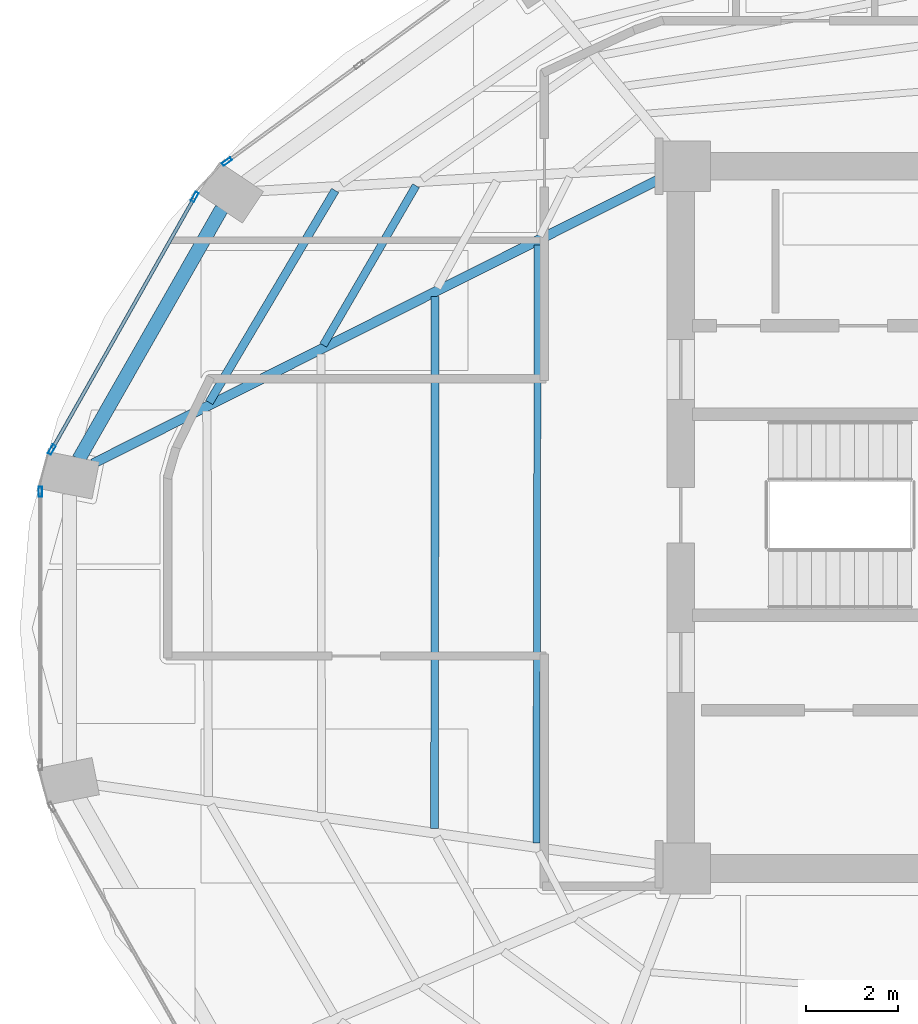
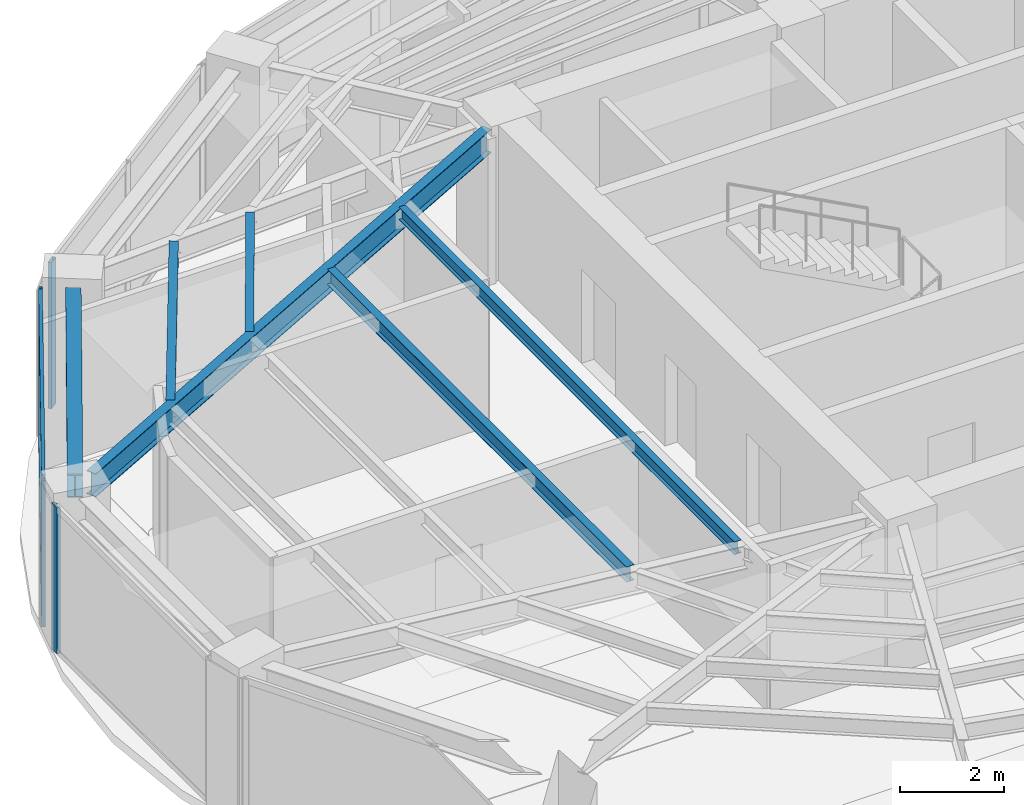
# One storey, part 6 of 20: 6 beams, 6 members, 3 elements without a shape of their own.
"""IFC4 building model written with IfcOpenShell, lengths in metres."""

import ifcopenshell
import ifcopenshell.guid

model = None  # the IFC model being written
_history = None  # IfcOwnerHistory: only IFC2X3 demands one
_inside = {}  # id of a spatial element -> (the spatial element, [elements in it])
_under = {}  # id of a project, library or spatial element -> (it, [spatial elements below it])
_declared = {}  # id of a project -> (the project, [libraries it declares])
_typed = {}  # id of a type object -> (the type object, [elements of that type])
_made_of = {}  # id of a material, layer set ... -> (it, [elements and type objects made of it])


def new_model(schema):
    """Start an empty IFC model of exactly this schema.

    Asked for "IFC4X3", IfcOpenShell would pick the latest addendum, in which some entities
    have other attributes; the version numbers below select the first issue.
    IFC2X3 requires an IfcOwnerHistory on every rooted entity: one is made here for all.
    """
    global model, _history
    if schema == "IFC4X3":
        model = ifcopenshell.file(schema_version=(4, 3, 0, 0))
    else:
        model = ifcopenshell.file(schema=schema)
    _inside.clear()
    _under.clear()
    _declared.clear()
    _typed.clear()
    _made_of.clear()
    _history = None
    if model.schema == "IFC2X3":
        org = make("IfcOrganization", Name="unknown")
        user = make(
            "IfcPersonAndOrganization",
            ThePerson=make("IfcPerson", FamilyName="unknown"),
            TheOrganization=org,
        )
        app = make(
            "IfcApplication",
            ApplicationDeveloper=org,
            Version="unknown",
            ApplicationFullName="unknown",
            ApplicationIdentifier="unknown",
        )
        _history = make(
            "IfcOwnerHistory",
            OwningUser=user,
            OwningApplication=app,
            ChangeAction="ADDED",
            CreationDate=0,
        )
    return model


def make(cls, **values):
    """One entity of the class cls with the attributes given. An attribute that is None is left unset."""
    return model.create_entity(
        cls, **{name: value for name, value in values.items() if value is not None}
    )


def rooted(cls, **values):
    """An entity with a GlobalId (a new one), such as an element, a storey or a relation."""
    return make(cls, GlobalId=ifcopenshell.guid.new(), OwnerHistory=_history, **values)


def si_unit(unit_type, name, prefix=None):
    """IfcSIUnit, for example si_unit("LENGTHUNIT", "METRE", prefix="MILLI")."""
    return make("IfcSIUnit", UnitType=unit_type, Prefix=prefix, Name=name)


def assignment(units):
    """IfcUnitAssignment: the units of a project."""
    return None if units is None else make("IfcUnitAssignment", Units=units)


def point(xyz):
    """IfcCartesianPoint."""
    return None if xyz is None else make("IfcCartesianPoint", Coordinates=xyz)


def direction(xyz):
    """IfcDirection."""
    return None if xyz is None else make("IfcDirection", DirectionRatios=xyz)


def frame(location, z_axis=None, x_axis=None):
    """IfcAxis2Placement3D, a coordinate frame: its origin and axes. An axis left out is left unset."""
    return make(
        "IfcAxis2Placement3D",
        Location=point(location),
        Axis=direction(z_axis),
        RefDirection=direction(x_axis),
    )


def frame_2d(location, x_axis=None):
    """IfcAxis2Placement2D, a coordinate frame in the plane: its origin and x axis."""
    return make(
        "IfcAxis2Placement2D", Location=point(location), RefDirection=direction(x_axis)
    )


def origin():
    """The frame at (0, 0, 0) with its axes left unset."""
    return frame((0.0, 0.0, 0.0))


def origin_2d():
    """The frame at (0, 0) in the plane with its x axis left unset."""
    return frame_2d((0.0, 0.0))


def place(relative_to, where):
    """IfcLocalPlacement: puts the frame where relative to a parent placement (None: the world)."""
    return make(
        "IfcLocalPlacement", PlacementRelTo=relative_to, RelativePlacement=where
    )


def context(
    kind, dimensions, precision=None, world=None, true_north=None, identifier=None
):
    """IfcGeometricRepresentationContext, for example the 3D "Model" context."""
    return make(
        "IfcGeometricRepresentationContext",
        ContextIdentifier=identifier,
        ContextType=kind,
        CoordinateSpaceDimension=dimensions,
        Precision=precision,
        WorldCoordinateSystem=world,
        TrueNorth=true_north,
    )


def subcontext(parent, identifier, kind, view, scale=None):
    """IfcGeometricRepresentationSubContext, for example "Body" below "Model"."""
    return make(
        "IfcGeometricRepresentationSubContext",
        ContextIdentifier=identifier,
        ContextType=kind,
        ParentContext=parent,
        TargetScale=scale,
        TargetView=view,
    )


def project(units=None, contexts=None):
    """IfcProject with its units and contexts."""
    return rooted(
        "IfcProject",
        Name="project",
        RepresentationContexts=contexts,
        UnitsInContext=assignment(units),
    )


def spatial(cls, under=None, at=None, **own):
    """A site, building, storey or space (cls), placed at a placement, below another one or the project."""
    s = rooted(cls, ObjectPlacement=at, **own)
    if under is not None:
        _under.setdefault(under.id(), (under, []))[1].append(s)
    return s


def profile(cls, at=None, kind="AREA", **sizes):
    """A parametric profile (cls). Its sizes go by their IFC names, for example OverallWidth=200.0."""
    return make(cls, ProfileType=kind, Position=at, **sizes)


def hollow_rectangle(**sizes):
    """IfcRectangleHollowProfileDef."""
    return profile("IfcRectangleHollowProfileDef", **sizes)


def i_section(**sizes):
    """IfcIShapeProfileDef."""
    return profile("IfcIShapeProfileDef", **sizes)


def extrude(swept, where, along, depth):
    """IfcExtrudedAreaSolid: the profile swept, set in the frame where, extruded along a direction by depth."""
    return make(
        "IfcExtrudedAreaSolid",
        SweptArea=swept,
        Position=where,
        ExtrudedDirection=direction(along),
        Depth=depth,
    )


def shape(context_of_items, identifier, shape_type, items):
    """IfcShapeRepresentation: the items that make up one representation, for example the "Body"."""
    return make(
        "IfcShapeRepresentation",
        ContextOfItems=context_of_items,
        RepresentationIdentifier=identifier,
        RepresentationType=shape_type,
        Items=items,
    )


def material(Name=None, Category=None):
    """IfcMaterial."""
    return make("IfcMaterial", Name=Name, Category=Category)


def layer(
    of_material, thickness, ventilated=None, Name=None, Category=None, Priority=None
):
    """IfcMaterialLayer: one layer of a wall or slab, of a material (None: an air gap)."""
    return make(
        "IfcMaterialLayer",
        Material=of_material,
        LayerThickness=thickness,
        IsVentilated=ventilated,
        Name=Name,
        Category=Category,
        Priority=Priority,
    )


def layer_set(layers, Name=None):
    """IfcMaterialLayerSet."""
    return make("IfcMaterialLayerSet", MaterialLayers=layers, LayerSetName=Name)


def material_profile(
    of_material, cross_section, Name=None, Category=None, Priority=None
):
    """IfcMaterialProfile: a cross section and its material."""
    return make(
        "IfcMaterialProfile",
        Name=Name,
        Material=of_material,
        Profile=cross_section,
        Priority=Priority,
        Category=Category,
    )


def profile_set(profiles, Name=None, composite=None):
    """IfcMaterialProfileSet."""
    return make(
        "IfcMaterialProfileSet",
        Name=Name,
        MaterialProfiles=profiles,
        CompositeProfile=composite,
    )


def made_of(thing, what):
    """Note that an element or type object is made of a material, layer set ...; save() writes the relation."""
    if what is not None:
        _made_of.setdefault(what.id(), (what, []))[1].append(thing)
    return thing


def type_object(cls, material=None, **own):
    """A type object (cls), such as IfcWallType, which elements share."""
    return made_of(rooted(cls, **own), material)


def element(
    cls,
    number,
    at=None,
    inside=None,
    cuts=None,
    type_object=None,
    material=None,
    context=None,
    identifier="Body",
    shape_type=None,
    held_by="IfcProductDefinitionShape",
    body=None,
    shapes=None,
    **own,
):
    """One element of the class cls, such as IfcWall. Its Tag is "e" and its number.

    at: its placement. inside: the storey or other place that contains it. cuts: it is an
    opening in that element (IfcRelVoidsElement). A single representation is given by context,
    identifier, shape_type and body (its items); several are given by shapes. held_by: the class
    of the entity that holds the representations. save() writes the other relations.
    """
    e = rooted(cls, Tag="e%d" % number, ObjectPlacement=at, **own)
    if body is not None:
        shapes = [shape(context, identifier, shape_type, body)]
    if shapes is not None:
        e.Representation = make(held_by, Representations=shapes)
    if inside is not None:
        _inside.setdefault(inside.id(), (inside, []))[1].append(e)
    if cuts is not None:
        rooted(
            "IfcRelVoidsElement", RelatingBuildingElement=cuts, RelatedOpeningElement=e
        )
    if type_object is not None:
        _typed.setdefault(type_object.id(), (type_object, []))[1].append(e)
    return made_of(e, material)


def aggregate(whole, parts):
    """IfcRelAggregates: a whole, such as a stair, and the parts it consists of."""
    return rooted("IfcRelAggregates", RelatingObject=whole, RelatedObjects=parts)


def save(model, path):
    """Write the relations noted so far, then the file.

    IfcRelAggregates (storeys below a building ...), IfcRelContainedInSpatialStructure (elements
    in a storey), IfcRelDefinesByType, IfcRelAssociatesMaterial and IfcRelDeclares: one each for
    every whole, place, type object, material and project.
    """
    for whole, parts in _under.values():
        aggregate(whole, parts)
    for where, things in _inside.values():
        rooted(
            "IfcRelContainedInSpatialStructure",
            RelatedElements=things,
            RelatingStructure=where,
        )
    for kind, things in _typed.values():
        rooted("IfcRelDefinesByType", RelatedObjects=things, RelatingType=kind)
    for what, things in _made_of.values():
        rooted("IfcRelAssociatesMaterial", RelatedObjects=things, RelatingMaterial=what)
    for by, libraries in _declared.values():
        rooted("IfcRelDeclares", RelatingContext=by, RelatedDefinitions=libraries)
    model.write(path)


model = new_model("IFC4")

# Units and contexts
model_context = context("Model", 3, precision=1e-05, world=origin(), true_north=direction((0.0, 1.0)))
body_context = subcontext(model_context, "Body", "Model", "MODEL_VIEW")
ifc_project = project(units=[si_unit("LENGTHUNIT", "METRE"), si_unit("AREAUNIT", "SQUARE_METRE"), si_unit("VOLUMEUNIT", "CUBIC_METRE"), si_unit("PLANEANGLEUNIT", "RADIAN"), si_unit("MASSUNIT", "GRAM", prefix="KILO")], contexts=[model_context])

# Site, building, storey
site_placement = place(None, origin())
site = spatial("IfcSite", under=ifc_project, at=site_placement, CompositionType="ELEMENT")
building_placement = place(site_placement, origin())
building = spatial("IfcBuilding", under=site, at=building_placement, Name="Lazwardi Medical Tower", CompositionType="ELEMENT")
storey_placement = place(building_placement, frame((0.0, 0.0, 156.528076171875)))
storey = spatial("IfcBuildingStorey", under=building, at=storey_placement, Name="L40", CompositionType="ELEMENT", Elevation=156.528076171875)

# Beams
ifc_material_1 = material(Name="Steel S355", Category="steel")
ifc_material_profile_1 = material_profile(ifc_material_1, i_section(OverallWidth=0.300048828125, OverallDepth=0.550048828125, WebThickness=0.014892578125, FlangeThickness=0.029052734375, at=origin_2d()), Name="HEB 550")
ifc_profile_set_1 = profile_set([ifc_material_profile_1], Name="Steel S355")
beam_type_1 = type_object("IfcBeamType", Name="BM-RB-Z3", PredefinedType="BEAM", material=ifc_profile_set_1)
beam_1_placement = place(storey_placement, frame((16.3662109375, 34.683349609375, 3.15283203125), z_axis=(-0.495477752551, -0.868620628771, 0.0), x_axis=(0.868620628771, -0.495477752551, 0.0)))
element("IfcBeam", 1, at=beam_1_placement, inside=storey, type_object=beam_type_1, Name="Ring beam RB-04 B11 L40", PredefinedType="BEAM", context=body_context, shape_type="SweptSolid", body=[
    extrude(i_section(OverallWidth=0.300048828125, OverallDepth=0.550048828125, WebThickness=0.014892578125, FlangeThickness=0.029052734375, at=origin_2d()), origin(), (0.0, 0.0, 1.0), 6.244384765625),
])
ifc_material_profile_2 = material_profile(ifc_material_1, i_section(OverallWidth=0.2099609375, OverallDepth=0.550048828125, WebThickness=0.010986328125, FlangeThickness=0.01708984375, at=origin_2d()), Name="IPE 550")
ifc_profile_set_2 = profile_set([ifc_material_profile_2], Name="Steel S355")
beam_type_2 = type_object("IfcBeamType", Name="BM-RG-W2", PredefinedType="BEAM", material=ifc_profile_set_2)
beam_2_placement = place(storey_placement, frame((13.57470703125, 29.162841796875, 3.15283203125), z_axis=(0.893740468624, 0.448584412061, 0.0), x_axis=(-0.448584412061, 0.893740468624, 0.0)))
element("IfcBeam", 2, at=beam_2_placement, inside=storey, type_object=beam_type_2, Name="Radial girder RG-03 R12 L40", PredefinedType="BEAM", context=body_context, shape_type="SweptSolid", body=[
    extrude(i_section(OverallWidth=0.2099609375, OverallDepth=0.550048828125, WebThickness=0.010986328125, FlangeThickness=0.01708984375, at=origin_2d()), origin(), (0.0, 0.0, 1.0), 13.815185546875),
])
ifc_material_profile_3 = material_profile(ifc_material_1, i_section(OverallWidth=0.179931640625, OverallDepth=0.39990234375, WebThickness=0.008544921875, FlangeThickness=0.013427734375, at=origin_2d()), Name="IPE 400")
ifc_profile_set_3 = profile_set([ifc_material_profile_3], Name="Steel S355")
beam_type_3 = type_object("IfcBeamType", Name="BM-SJ-01", PredefinedType="JOIST", material=ifc_profile_set_3)
beam_3_placement = place(storey_placement, frame((18.82080078125, 35.078369140625, 3.22802734375), z_axis=(-0.510569396963, -0.859836548935, 0.0), x_axis=(0.859836548935, -0.510569396963, 0.0)))
element("IfcBeam", 3, at=beam_3_placement, inside=storey, type_object=beam_type_3, Name="Secondary joist SJ-01 R1 B11 L40", PredefinedType="JOIST", context=body_context, shape_type="SweptSolid", body=[
    extrude(i_section(OverallWidth=0.179931640625, OverallDepth=0.39990234375, WebThickness=0.008544921875, FlangeThickness=0.013427734375, at=origin_2d()), origin(), (0.0, 0.0, 1.0), 5.33837890625),
])
ifc_material_profile_4 = material_profile(ifc_material_1, i_section(OverallWidth=0.169921875, OverallDepth=0.360107421875, WebThickness=0.008056640625, FlangeThickness=0.0126953125, at=origin_2d()), Name="IPE 360")
ifc_profile_set_4 = profile_set([ifc_material_profile_4], Name="Steel S355")
beam_type_4 = type_object("IfcBeamType", Name="BM-SJ-02", PredefinedType="JOIST", material=ifc_profile_set_4)
beam_4_placement = place(storey_placement, frame((20.5703125, 35.17919921875, 3.247802734375), z_axis=(-0.502665102216, -0.864481228839, 0.0), x_axis=(0.864481228839, -0.502665102216, 0.0)))
element("IfcBeam", 4, at=beam_4_placement, inside=storey, type_object=beam_type_4, Name="Secondary joist SJ-02 R2 B11 L40", PredefinedType="JOIST", context=body_context, shape_type="SweptSolid", body=[
    extrude(i_section(OverallWidth=0.169921875, OverallDepth=0.360107421875, WebThickness=0.008056640625, FlangeThickness=0.0126953125, at=origin_2d()), origin(), (0.0, 0.0, 1.0), 3.991943359375),
])
beam_5_placement = place(storey_placement, frame((20.98291015625, 32.78125, 3.247802734375), z_axis=(-0.000805852776, -0.999999675301, 0.0), x_axis=(0.999999675301, -0.000805852776, 0.0)))
element("IfcBeam", 5, at=beam_5_placement, inside=storey, type_object=beam_type_4, Name="Secondary joist SJ-02 R3 B12 L40", PredefinedType="JOIST", context=body_context, shape_type="SweptSolid", body=[
    extrude(i_section(OverallWidth=0.169921875, OverallDepth=0.360107421875, WebThickness=0.008056640625, FlangeThickness=0.0126953125, at=origin_2d()), origin(), (0.0, 0.0, 1.0), 11.512451171875),
])
ifc_material_profile_5 = material_profile(ifc_material_1, i_section(OverallWidth=0.14990234375, OverallDepth=0.300048828125, WebThickness=0.007080078125, FlangeThickness=0.0107421875, at=origin_2d()), Name="IPE 300")
ifc_profile_set_5 = profile_set([ifc_material_profile_5], Name="Steel S355")
beam_type_5 = type_object("IfcBeamType", Name="BM-SJ-03", PredefinedType="JOIST", material=ifc_profile_set_5)
beam_6_placement = place(storey_placement, frame((23.205078125, 33.896484375, 3.27783203125), z_axis=(-0.002150897838, -0.999997686817, 0.0), x_axis=(0.999997686817, -0.002150897838, 0.0)))
element("IfcBeam", 6, at=beam_6_placement, inside=storey, type_object=beam_type_5, Name="Secondary joist SJ-03 R4 B12 L40", PredefinedType="JOIST", context=body_context, shape_type="SweptSolid", body=[
    extrude(i_section(OverallWidth=0.14990234375, OverallDepth=0.300048828125, WebThickness=0.007080078125, FlangeThickness=0.0107421875, at=origin_2d()), origin(), (0.0, 0.0, 1.0), 12.939697265625),
])

# Curtain wall, member
ifc_material_2 = material(Name="Anodised bronze aluminium and solar control glazing", Category="aluminium")
ifc_layer = layer(ifc_material_2, 0.195068359375)
ifc_layer_set = layer_set([ifc_layer], Name="Anodised bronze aluminium and solar control glazing")
curtain_wall_type = type_object("IfcCurtainWallType", Name="CW-SYS-03", PredefinedType="NOTDEFINED", material=ifc_layer_set)
curtain_wall_1_placement = place(storey_placement, origin())
curtain_wall_1 = element("IfcCurtainWall", 7, at=curtain_wall_1_placement, inside=storey, type_object=curtain_wall_type, Name="L40 Unitised bronze curtain wall CW-03", PredefinedType="NOTDEFINED")
ifc_material_3 = material(Name="Anodised bronze aluminium", Category="aluminium")
ifc_material_profile_6 = material_profile(ifc_material_3, hollow_rectangle(XDim=0.074951171875, YDim=0.219970703125, WallThickness=0.00390625, at=origin_2d()), Name="ALU-MULLION 220x75x4")
ifc_profile_set_6 = profile_set([ifc_material_profile_6], Name="Anodised bronze aluminium")
member_type_1 = type_object("IfcMemberType", Name="CW-MUL-01", PredefinedType="MULLION", material=ifc_profile_set_6)
member_1_placement = place(storey_placement, frame((16.480224609375, 35.702880859375, 0.0), z_axis=(0.0, 0.0, 1.0), x_axis=(0.590833862635, -0.806793249082, 0.0)))
member_1 = element("IfcMember", 8, at=member_1_placement, type_object=member_type_1, Name="CW-03 mullion 3", PredefinedType="MULLION", context=body_context, shape_type="SweptSolid", body=[
    extrude(hollow_rectangle(XDim=0.074951171875, YDim=0.219970703125, WallThickness=0.00390625, at=origin_2d()), origin(), (0.0, 0.0, 1.0), 3.427978515625),
])
aggregate(curtain_wall_1, [member_1])

# Curtain wall, members
curtain_wall_2_placement = place(storey_placement, origin())
curtain_wall_2 = element("IfcCurtainWall", 9, at=curtain_wall_2_placement, inside=storey, type_object=curtain_wall_type, Name="L40 Unitised bronze curtain wall CW-03", PredefinedType="NOTDEFINED")
member_2_placement = place(storey_placement, frame((15.782470703125, 34.936767578125, 0.0), z_axis=(0.0, 0.0, 1.0), x_axis=(0.870418989303, -0.492311672683, 0.0)))
member_2 = element("IfcMember", 10, at=member_2_placement, type_object=member_type_1, Name="CW-03 mullion 1", PredefinedType="MULLION", context=body_context, shape_type="SweptSolid", body=[
    extrude(hollow_rectangle(XDim=0.074951171875, YDim=0.219970703125, WallThickness=0.00390625, at=origin_2d()), origin(), (0.0, 0.0, 1.0), 3.427978515625),
])
member_3_placement = place(storey_placement, frame((12.68896484375, 29.46728515625, 0.0), z_axis=(0.0, 0.0, 1.0), x_axis=(0.870418989303, -0.492311672683, 0.0)))
member_3 = element("IfcMember", 11, at=member_3_placement, type_object=member_type_1, Name="CW-03 mullion 2", PredefinedType="MULLION", context=body_context, shape_type="SweptSolid", body=[
    extrude(hollow_rectangle(XDim=0.074951171875, YDim=0.219970703125, WallThickness=0.00390625, at=origin_2d()), origin(), (0.0, 0.0, 1.0), 3.427978515625),
])

# Curtain wall, member
curtain_wall_3_placement = place(storey_placement, origin())
curtain_wall_3 = element("IfcCurtainWall", 12, at=curtain_wall_3_placement, inside=storey, type_object=curtain_wall_type, Name="L40 Unitised bronze curtain wall CW-03", PredefinedType="NOTDEFINED")
member_4_placement = place(storey_placement, frame((12.4423828125, 28.557861328125, 0.0), z_axis=(0.0, 0.0, 1.0), x_axis=(1.0, 0.0, 0.0)))
member_4 = element("IfcMember", 13, at=member_4_placement, type_object=member_type_1, Name="CW-03 mullion 1", PredefinedType="MULLION", context=body_context, shape_type="SweptSolid", body=[
    extrude(hollow_rectangle(XDim=0.074951171875, YDim=0.219970703125, WallThickness=0.00390625, at=origin_2d()), origin(), (0.0, 0.0, 1.0), 3.427978515625),
])
aggregate(curtain_wall_3, [member_4])

# Member
ifc_material_profile_7 = material_profile(ifc_material_3, hollow_rectangle(XDim=0.074951171875, YDim=0.159912109375, WallThickness=0.00390625, at=origin_2d()), Name="ALU-TRANSOM 160x75x4")
ifc_profile_set_7 = profile_set([ifc_material_profile_7], Name="Anodised bronze aluminium")
member_type_2 = type_object("IfcMemberType", Name="CW-TRN-01", PredefinedType="USERDEFINED", material=ifc_profile_set_7)
member_5_placement = place(storey_placement, frame((15.763916015625, 34.904052734375, 0.037353515625), z_axis=(-0.492322860598, -0.870412661289, 0.0), x_axis=(0.870412661289, -0.492322860598, 0.0)))
member_5 = element("IfcMember", 14, at=member_5_placement, type_object=member_type_2, Name="CW-03 transom 1.1", ObjectType="TRANSOM", PredefinedType="USERDEFINED", context=body_context, shape_type="SweptSolid", body=[
    extrude(hollow_rectangle(XDim=0.074951171875, YDim=0.159912109375, WallThickness=0.00390625, at=origin_2d()), origin(), (0.0, 0.0, 1.0), 6.20849609375),
])

member_6_placement = place(storey_placement, frame((15.763916015625, 34.904052734375, 3.390380859375), z_axis=(-0.492322860598, -0.870412661289, 0.0), x_axis=(0.870412661289, -0.492322860598, 0.0)))
member_6 = element("IfcMember", 15, at=member_6_placement, type_object=member_type_2, Name="CW-03 transom 1.2", ObjectType="TRANSOM", PredefinedType="USERDEFINED", context=body_context, shape_type="SweptSolid", body=[
    extrude(hollow_rectangle(XDim=0.074951171875, YDim=0.159912109375, WallThickness=0.00390625, at=origin_2d()), origin(), (0.0, 0.0, 1.0), 6.20849609375),
])

aggregate(curtain_wall_2, [member_2, member_3, member_5, member_6])

save(model, "model.ifc")
